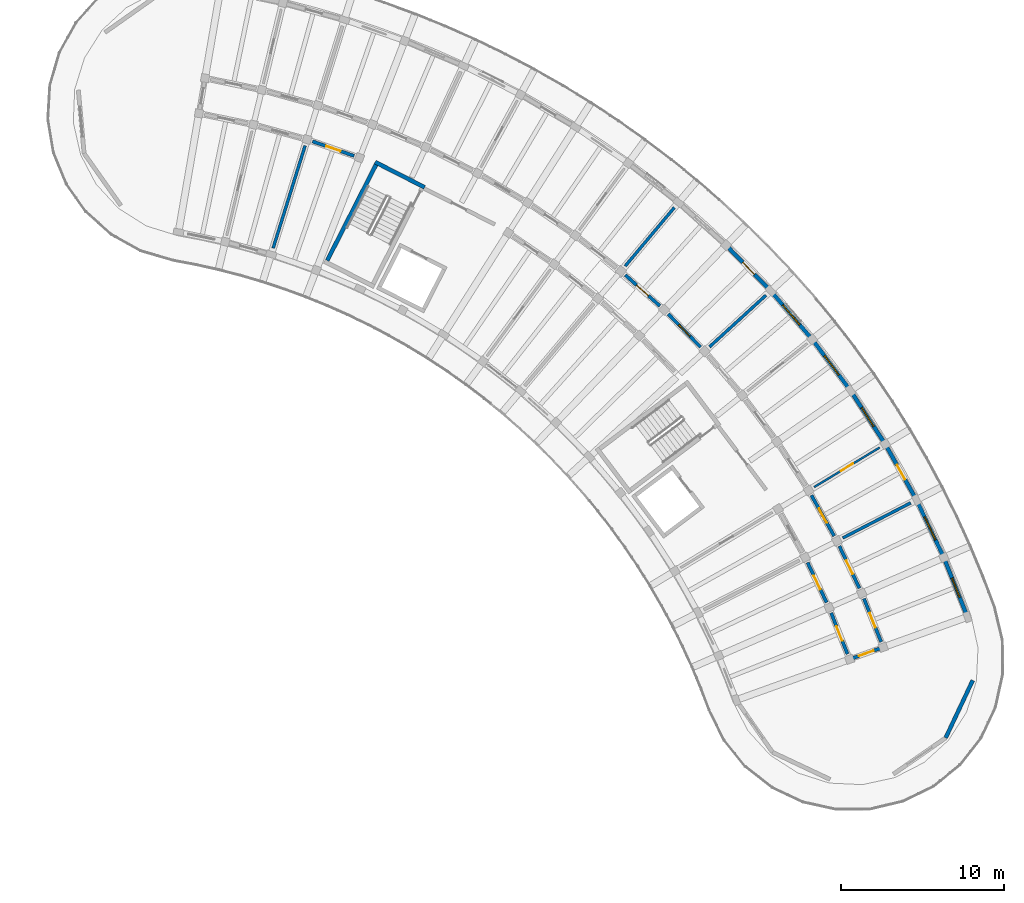
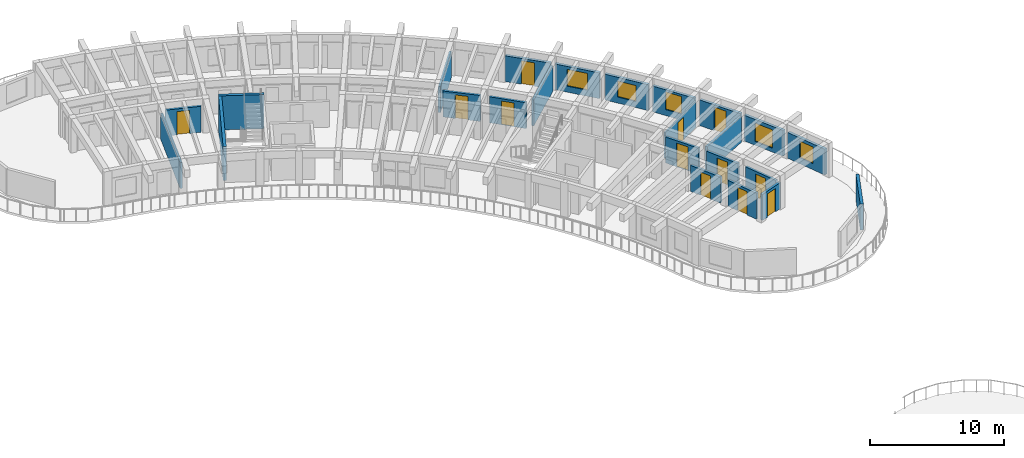
# One storey, part 35 of 56: 24 walls, 12 doors, 5 windows, 17 openings.
"""IFC4 building model written with IfcOpenShell, lengths in metres."""

from ifc_helpers import new_model, si_unit, direction, frame, frame_2d, origin, place, context, subcontext, project, spatial, rectangle, extrude, material, layer, layer_set, type_object, element, fill, save


model = new_model("IFC4")

# Units and contexts
model_context = context("Model", 3, precision=1e-05, world=origin(), true_north=direction((0.0, 1.0)))
body_context = subcontext(model_context, "Body", "Model", "MODEL_VIEW")
ifc_project = project(units=[si_unit("LENGTHUNIT", "METRE"), si_unit("AREAUNIT", "SQUARE_METRE"), si_unit("VOLUMEUNIT", "CUBIC_METRE"), si_unit("PLANEANGLEUNIT", "RADIAN"), si_unit("MASSUNIT", "GRAM", prefix="KILO")], contexts=[model_context])

# Site, building, storey
site_placement = place(None, origin())
site = spatial("IfcSite", under=ifc_project, at=site_placement, CompositionType="ELEMENT")
building_placement = place(site_placement, origin())
building = spatial("IfcBuilding", under=site, at=building_placement, Name="Tanwirah Colonnade Gardens", CompositionType="ELEMENT")
storey_placement = place(building_placement, frame((0.0, 0.0, 29.0)))
storey = spatial("IfcBuildingStorey", under=building, at=storey_placement, Name="L08", CompositionType="ELEMENT", Elevation=29.0)

# Wall, opening, window
ifc_material_1 = material(Name="Limestone architectural precast concrete C40/50", Category="masonry")
ifc_layer_1 = layer(ifc_material_1, 0.239990234375)
ifc_layer_set_1 = layer_set([ifc_layer_1], Name="Limestone architectural precast concrete C40/50")
wall_type_1 = type_object("IfcWallType", Name="EW-PC240", PredefinedType="SOLIDWALL", material=ifc_layer_set_1)
wall_1_placement = place(storey_placement, frame((176.976318359375, 80.50341796875, 0.0), z_axis=(0.0, 0.0, 1.0), x_axis=(-0.369178347818, 0.929358567778, 0.0)))
wall_1 = element("IfcWall", 1, at=wall_1_placement, inside=storey, type_object=wall_type_1, Name="Block B L08 OUT Precast Facade Wall 1", PredefinedType="SOLIDWALL", context=body_context, shape_type="SweptSolid", body=[
    extrude(rectangle(XDim=3.54052734375, YDim=0.239990234375, at=frame_2d((1.770263671875, 0.0))), origin(), (0.0, 0.0, 1.0), 2.35498046875),
])
opening_1_placement = place(wall_1_placement, frame((1.13037109375, 0.0, 0.550048828125)))
opening_1 = element("IfcOpeningElement", 2, at=opening_1_placement, cuts=wall_1, Name="Opening WIN-T17", PredefinedType="OPENING", context=body_context, shape_type="SweptSolid", body=[
    extrude(rectangle(XDim=1.280029296875, YDim=1.52001953125, at=frame_2d((0.64013671875, 0.760009765625))), frame((0.0, 0.1298828125, 0.0), z_axis=(0.0, -1.0, 0.0), x_axis=(1.0, 0.0, 0.0)), (0.0, 0.0, 1.0), 0.260009765625),
])
ifc_material_2 = material(Name="Thermally broken bronze aluminium and solar low-E double glazing", Category="aluminium")
window_type_1 = type_object("IfcWindowType", Name="WIN-T17", PartitioningType="SINGLE_PANEL", PredefinedType="WINDOW", material=ifc_material_2)
window_1_placement = place(opening_1_placement, origin())
window_1 = element("IfcWindow", 3, at=window_1_placement, inside=storey, type_object=window_type_1, Name="Facade window B-L08-OUT-01", OverallHeight=1.52001953125, OverallWidth=1.280029296875, PartitioningType="SINGLE_PANEL", PredefinedType="WINDOW", context=body_context, shape_type="SweptSolid", body=[
    extrude(rectangle(XDim=1.280029296875, YDim=1.52001953125, at=frame_2d((0.64013671875, 0.760009765625))), frame((0.0, 0.030029296875, 0.0), z_axis=(0.0, -1.0, 0.0), x_axis=(1.0, 0.0, 0.0)), (0.0, 0.0, 1.0), 0.06005859375),
])
fill(opening_1, window_1)

wall_2_placement = place(storey_placement, frame((175.493408203125, 84.197021484375, 0.0), z_axis=(0.0, 0.0, 1.0), x_axis=(-0.429641817045, 0.902999395928, 0.0)))
wall_2 = element("IfcWall", 4, at=wall_2_placement, inside=storey, type_object=wall_type_1, Name="Block B L08 OUT Precast Facade Wall 2", PredefinedType="SOLIDWALL", context=body_context, shape_type="SweptSolid", body=[
    extrude(rectangle(XDim=3.540771484375, YDim=0.239990234375, at=frame_2d((1.7705078125, 0.0))), origin(), (0.0, 0.0, 1.0), 2.35498046875),
])
opening_2_placement = place(wall_2_placement, frame((0.980224609375, 0.0, 0.35009765625)))
opening_2 = element("IfcOpeningElement", 5, at=opening_2_placement, cuts=wall_2, Name="Opening WIN-T20", PredefinedType="OPENING", context=body_context, shape_type="SweptSolid", body=[
    extrude(rectangle(XDim=1.580078125, YDim=1.679931640625, at=frame_2d((0.7900390625, 0.83984375))), frame((0.0, 0.1298828125, 0.0), z_axis=(0.0, -1.0, 0.0), x_axis=(1.0, 0.0, 0.0)), (0.0, 0.0, 1.0), 0.260009765625),
])
window_type_2 = type_object("IfcWindowType", Name="WIN-T20", PartitioningType="DOUBLE_PANEL_VERTICAL", PredefinedType="WINDOW", material=ifc_material_2)
window_2_placement = place(opening_2_placement, origin())
window_2 = element("IfcWindow", 6, at=window_2_placement, inside=storey, type_object=window_type_2, Name="Facade window B-L08-OUT-02", OverallHeight=1.679931640625, OverallWidth=1.580078125, PartitioningType="SINGLE_PANEL", PredefinedType="WINDOW", context=body_context, shape_type="SweptSolid", body=[
    extrude(rectangle(XDim=1.580078125, YDim=1.679931640625, at=frame_2d((0.7900390625, 0.83984375))), frame((0.0, 0.030029296875, 0.0), z_axis=(0.0, -1.0, 0.0), x_axis=(1.0, 0.0, 0.0)), (0.0, 0.0, 1.0), 0.06005859375),
])
fill(opening_2, window_2)

# Wall, opening, door
wall_3_placement = place(storey_placement, frame((173.82080078125, 87.687255859375, 0.0), z_axis=(0.0, 0.0, 1.0), x_axis=(-0.488240096514, 0.872709349185, 0.0)))
wall_3 = element("IfcWall", 7, at=wall_3_placement, inside=storey, type_object=wall_type_1, Name="Block B L08 OUT Precast Facade Wall 3", PredefinedType="SOLIDWALL", context=body_context, shape_type="SweptSolid", body=[
    extrude(rectangle(XDim=3.540771484375, YDim=0.239990234375, at=frame_2d((1.7705078125, 0.0))), origin(), (0.0, 0.0, 1.0), 2.35498046875),
])
opening_3_placement = place(wall_3_placement, frame((1.260498046875, 0.0, 0.0)))
opening_3 = element("IfcOpeningElement", 8, at=opening_3_placement, cuts=wall_3, Name="Opening L08-ED104", PredefinedType="OPENING", context=body_context, shape_type="SweptSolid", body=[
    extrude(rectangle(XDim=1.02001953125, YDim=2.139892578125, at=frame_2d((0.510009765625, 1.06982421875))), frame((0.0, 0.1298828125, 0.0), z_axis=(0.0, -1.0, 0.0), x_axis=(1.0, 0.0, 0.0)), (0.0, 0.0, 1.0), 0.260009765625),
])
ifc_material_3 = material(Name="Bronze aluminium glazed balcony door", Category="aluminium")
door_type_1 = type_object("IfcDoorType", Name="ED-BAL102", OperationType="NOTDEFINED", PredefinedType="DOOR", material=ifc_material_3)
door_1_placement = place(opening_3_placement, origin())
door_1 = element("IfcDoor", 9, at=door_1_placement, inside=storey, type_object=door_type_1, Name="Balcony glazed door L08-ED104", OperationType="SINGLE_SWING_RIGHT", OverallHeight=2.139892578125, OverallWidth=1.02001953125, PredefinedType="DOOR", context=body_context, shape_type="SweptSolid", body=[
    extrude(rectangle(XDim=1.02001953125, YDim=2.139892578125, at=frame_2d((0.510009765625, 1.06982421875))), frame((0.0, 0.02490234375, 0.0), z_axis=(0.0, -1.0, 0.0), x_axis=(1.0, 0.0, 0.0)), (0.0, 0.0, 1.0), 0.050048828125),
])
fill(opening_3, door_1)

# Wall, opening, window
wall_4_placement = place(storey_placement, frame((171.864990234375, 91.154052734375, 0.0), z_axis=(0.0, 0.0, 1.0), x_axis=(-0.544651423633, 0.838662522553, 0.0)))
wall_4 = element("IfcWall", 10, at=wall_4_placement, inside=storey, type_object=wall_type_1, Name="Block B L08 OUT Precast Facade Wall 4", PredefinedType="SOLIDWALL", context=body_context, shape_type="SweptSolid", body=[
    extrude(rectangle(XDim=3.540771484375, YDim=0.239990234375, at=frame_2d((1.7705078125, 0.0))), origin(), (0.0, 0.0, 1.0), 2.35498046875),
])
opening_4_placement = place(wall_4_placement, frame((1.09033203125, 0.0, 0.550048828125)))
opening_4 = element("IfcOpeningElement", 11, at=opening_4_placement, cuts=wall_4, Name="Opening WIN-U06", PredefinedType="OPENING", context=body_context, shape_type="SweptSolid", body=[
    extrude(rectangle(XDim=1.360107421875, YDim=1.610107421875, at=frame_2d((0.68017578125, 0.80517578125))), frame((0.0, 0.1298828125, 0.0), z_axis=(0.0, -1.0, 0.0), x_axis=(1.0, 0.0, 0.0)), (0.0, 0.0, 1.0), 0.260009765625),
])
window_type_3 = type_object("IfcWindowType", Name="WIN-U06", PartitioningType="DOUBLE_PANEL_VERTICAL", PredefinedType="WINDOW", material=ifc_material_2)
window_3_placement = place(opening_4_placement, origin())
window_3 = element("IfcWindow", 12, at=window_3_placement, inside=storey, type_object=window_type_3, Name="Facade window B-L08-OUT-04", OverallHeight=1.610107421875, OverallWidth=1.360107421875, PartitioningType="SINGLE_PANEL", PredefinedType="WINDOW", context=body_context, shape_type="SweptSolid", body=[
    extrude(rectangle(XDim=1.360107421875, YDim=1.610107421875, at=frame_2d((0.68017578125, 0.80517578125))), frame((0.0, 0.030029296875, 0.0), z_axis=(0.0, -1.0, 0.0), x_axis=(1.0, 0.0, 0.0)), (0.0, 0.0, 1.0), 0.06005859375),
])
fill(opening_4, window_3)

wall_5_placement = place(storey_placement, frame((169.747802734375, 94.39404296875, 0.0), z_axis=(0.0, 0.0, 1.0), x_axis=(-0.59871946339, 0.800958803034, 0.0)))
wall_5 = element("IfcWall", 13, at=wall_5_placement, inside=storey, type_object=wall_type_1, Name="Block B L08 OUT Precast Facade Wall 5", PredefinedType="SOLIDWALL", context=body_context, shape_type="SweptSolid", body=[
    extrude(rectangle(XDim=3.540771484375, YDim=0.239990234375, at=frame_2d((1.7705078125, 0.0))), origin(), (0.0, 0.0, 1.0), 2.35498046875),
])
opening_5_placement = place(wall_5_placement, frame((1.030517578125, 0.0, 0.550048828125)))
opening_5 = element("IfcOpeningElement", 14, at=opening_5_placement, cuts=wall_5, Name="Opening WIN-U09", PredefinedType="OPENING", context=body_context, shape_type="SweptSolid", body=[
    extrude(rectangle(XDim=1.47998046875, YDim=1.4599609375, at=frame_2d((0.739990234375, 0.72998046875))), frame((0.0, 0.1298828125, 0.0), z_axis=(0.0, -1.0, 0.0), x_axis=(1.0, 0.0, 0.0)), (0.0, 0.0, 1.0), 0.260009765625),
])
window_type_4 = type_object("IfcWindowType", Name="WIN-U09", PartitioningType="DOUBLE_PANEL_VERTICAL", PredefinedType="WINDOW", material=ifc_material_2)
window_4_placement = place(opening_5_placement, origin())
window_4 = element("IfcWindow", 15, at=window_4_placement, inside=storey, type_object=window_type_4, Name="Facade window B-L08-OUT-05", OverallHeight=1.4599609375, OverallWidth=1.47998046875, PartitioningType="SINGLE_PANEL", PredefinedType="WINDOW", context=body_context, shape_type="SweptSolid", body=[
    extrude(rectangle(XDim=1.47998046875, YDim=1.4599609375, at=frame_2d((0.739990234375, 0.72998046875))), frame((0.0, 0.030029296875, 0.0), z_axis=(0.0, -1.0, 0.0), x_axis=(1.0, 0.0, 0.0)), (0.0, 0.0, 1.0), 0.06005859375),
])
fill(opening_5, window_4)

wall_6_placement = place(storey_placement, frame((167.353271484375, 97.5732421875, 0.0), z_axis=(0.0, 0.0, 1.0), x_axis=(-0.650200638195, 0.759762548492, 0.0)))
wall_6 = element("IfcWall", 16, at=wall_6_placement, inside=storey, type_object=wall_type_1, Name="Block B L08 OUT Precast Facade Wall 6", PredefinedType="SOLIDWALL", context=body_context, shape_type="SweptSolid", body=[
    extrude(rectangle(XDim=3.540771484375, YDim=0.239990234375, at=frame_2d((1.7705078125, 0.0))), origin(), (0.0, 0.0, 1.0), 2.35498046875),
])
opening_6_placement = place(wall_6_placement, frame((0.97021484375, 0.0, 0.550048828125)))
opening_6 = element("IfcOpeningElement", 17, at=opening_6_placement, cuts=wall_6, Name="Opening WIN-U12", PredefinedType="OPENING", context=body_context, shape_type="SweptSolid", body=[
    extrude(rectangle(XDim=1.60009765625, YDim=1.534912109375, at=frame_2d((0.800048828125, 0.767578125))), frame((0.0, 0.1298828125, 0.0), z_axis=(0.0, -1.0, 0.0), x_axis=(1.0, 0.0, 0.0)), (0.0, 0.0, 1.0), 0.260009765625),
])
window_type_5 = type_object("IfcWindowType", Name="WIN-U12", PartitioningType="DOUBLE_PANEL_VERTICAL", PredefinedType="WINDOW", material=ifc_material_2)
window_5_placement = place(opening_6_placement, origin())
window_5 = element("IfcWindow", 18, at=window_5_placement, inside=storey, type_object=window_type_5, Name="Facade window B-L08-OUT-06", OverallHeight=1.534912109375, OverallWidth=1.60009765625, PartitioningType="SINGLE_PANEL", PredefinedType="WINDOW", context=body_context, shape_type="SweptSolid", body=[
    extrude(rectangle(XDim=1.60009765625, YDim=1.534912109375, at=frame_2d((0.800048828125, 0.767578125))), frame((0.0, 0.030029296875, 0.0), z_axis=(0.0, -1.0, 0.0), x_axis=(1.0, 0.0, 0.0)), (0.0, 0.0, 1.0), 0.06005859375),
])
fill(opening_6, window_5)

# Wall, opening, door
wall_7_placement = place(storey_placement, frame((164.82861328125, 100.5068359375, 0.0), z_axis=(0.0, 0.0, 1.0), x_axis=(-0.698819119584, 0.715298425906, 0.0)))
wall_7 = element("IfcWall", 19, at=wall_7_placement, inside=storey, type_object=wall_type_1, Name="Block B L08 OUT Precast Facade Wall 7", PredefinedType="SOLIDWALL", context=body_context, shape_type="SweptSolid", body=[
    extrude(rectangle(XDim=3.540771484375, YDim=0.239990234375, at=frame_2d((1.7705078125, 0.0))), origin(), (0.0, 0.0, 1.0), 2.35498046875),
])
opening_7_placement = place(wall_7_placement, frame((1.260498046875, 0.0, 0.0)))
opening_7 = element("IfcOpeningElement", 20, at=opening_7_placement, cuts=wall_7, Name="Opening L08-ED105", PredefinedType="OPENING", context=body_context, shape_type="SweptSolid", body=[
    extrude(rectangle(XDim=1.02001953125, YDim=2.139892578125, at=frame_2d((0.510009765625, 1.06982421875))), frame((0.0, 0.1298828125, 0.0), z_axis=(0.0, -1.0, 0.0), x_axis=(1.0, 0.0, 0.0)), (0.0, 0.0, 1.0), 0.260009765625),
])
door_2_placement = place(opening_7_placement, origin())
door_2 = element("IfcDoor", 21, at=door_2_placement, inside=storey, type_object=door_type_1, Name="Balcony glazed door L08-ED105", OperationType="SINGLE_SWING_RIGHT", OverallHeight=2.139892578125, OverallWidth=1.02001953125, PredefinedType="DOOR", context=body_context, shape_type="SweptSolid", body=[
    extrude(rectangle(XDim=1.02001953125, YDim=2.139892578125, at=frame_2d((0.510009765625, 1.06982421875))), frame((0.0, 0.02490234375, 0.0), z_axis=(0.0, -1.0, 0.0), x_axis=(1.0, 0.0, 0.0)), (0.0, 0.0, 1.0), 0.050048828125),
])
fill(opening_7, door_2)

# Wall
wall_8_placement = place(storey_placement, frame((177.36279296875, 76.45556640625, 0.0), z_axis=(0.0, 0.0, 1.0), x_axis=(-0.42610086282, -0.904675662712, 0.0)))
element("IfcWall", 22, at=wall_8_placement, inside=storey, type_object=wall_type_1, Name="Block B L08 START Rounded End Wall 1", PredefinedType="SOLIDWALL", context=body_context, shape_type="SweptSolid", body=[
    extrude(rectangle(XDim=3.908203125, YDim=0.239990234375, at=frame_2d((1.9541015625, 0.0))), origin(), (0.0, 0.0, 1.0), 2.35498046875),
])

# Wall, opening, door
ifc_material_4 = material(Name="Precast concrete C40/50", Category="concrete")
ifc_layer_2 = layer(ifc_material_4, 0.205078125)
ifc_layer_set_2 = layer_set([ifc_layer_2], Name="Precast concrete C40/50")
wall_type_2 = type_object("IfcWallType", Name="IW-CORR205", PredefinedType="PARTITIONING", material=ifc_layer_set_2)
wall_9_placement = place(storey_placement, frame((171.732421875, 78.814208984375, 0.0), z_axis=(0.0, 0.0, 1.0), x_axis=(-0.369213832442, 0.929344471083, 0.0)))
wall_9 = element("IfcWall", 23, at=wall_9_placement, inside=storey, type_object=wall_type_2, Name="Block B L08 OUT Corridor Wall 1", PredefinedType="PARTITIONING", context=body_context, shape_type="SweptSolid", body=[
    extrude(rectangle(XDim=2.86328125, YDim=0.205078125, at=frame_2d((1.431640625, 0.0))), origin(), (0.0, 0.0, 1.0), 2.3701171875),
])
opening_8_placement = place(wall_9_placement, frame((0.95654296875, 0.0, 0.0)))
opening_8 = element("IfcOpeningElement", 24, at=opening_8_placement, cuts=wall_9, Name="Opening L08-AD1127", PredefinedType="OPENING", context=body_context, shape_type="SweptSolid", body=[
    extrude(rectangle(XDim=0.949951171875, YDim=2.1298828125, at=frame_2d((0.47509765625, 1.06494140625))), frame((0.0, 0.112548828125, 0.0), z_axis=(0.0, -1.0, 0.0), x_axis=(1.0, 0.0, 0.0)), (0.0, 0.0, 1.0), 0.22509765625),
])
ifc_material_5 = material(Name="Solid oak fire-resisting apartment entrance door")
door_type_2 = type_object("IfcDoorType", Name="ID-FLT095", OperationType="NOTDEFINED", PredefinedType="DOOR", material=ifc_material_5)
door_3_placement = place(opening_8_placement, origin())
door_3 = element("IfcDoor", 25, at=door_3_placement, inside=storey, type_object=door_type_2, Name="Apartment corridor door L08-AD1127", OperationType="SINGLE_SWING_RIGHT", OverallHeight=2.1298828125, OverallWidth=0.949951171875, PredefinedType="DOOR", context=body_context, shape_type="SweptSolid", body=[
    extrude(rectangle(XDim=0.949951171875, YDim=2.1298828125, at=frame_2d((0.47509765625, 1.06494140625))), frame((0.0, 0.02490234375, 0.0), z_axis=(0.0, -1.0, 0.0), x_axis=(1.0, 0.0, 0.0)), (0.0, 0.0, 1.0), 0.050048828125),
])
fill(opening_8, door_3)

wall_10_placement = place(storey_placement, frame((169.662353515625, 78.06982421875, 0.0), z_axis=(0.0, 0.0, 1.0), x_axis=(-0.369237170461, 0.929335198919, 0.0)))
wall_10 = element("IfcWall", 26, at=wall_10_placement, inside=storey, type_object=wall_type_2, Name="Block B L08 IN Corridor Wall 1", PredefinedType="PARTITIONING", context=body_context, shape_type="SweptSolid", body=[
    extrude(rectangle(XDim=2.71826171875, YDim=0.205078125, at=frame_2d((1.359130859375, 0.0))), origin(), (0.0, 0.0, 1.0), 2.3701171875),
])
opening_9_placement = place(wall_10_placement, frame((0.884033203125, 0.0, 0.0)))
opening_9 = element("IfcOpeningElement", 27, at=opening_9_placement, cuts=wall_10, Name="Opening L08-AD1128", PredefinedType="OPENING", context=body_context, shape_type="SweptSolid", body=[
    extrude(rectangle(XDim=0.949951171875, YDim=2.1298828125, at=frame_2d((0.47509765625, 1.06494140625))), frame((0.0, 0.112548828125, 0.0), z_axis=(0.0, -1.0, 0.0), x_axis=(1.0, 0.0, 0.0)), (0.0, 0.0, 1.0), 0.22509765625),
])
door_4_placement = place(opening_9_placement, origin())
door_4 = element("IfcDoor", 28, at=door_4_placement, inside=storey, type_object=door_type_2, Name="Apartment corridor door L08-AD1128", OperationType="SINGLE_SWING_LEFT", OverallHeight=2.1298828125, OverallWidth=0.949951171875, PredefinedType="DOOR", context=body_context, shape_type="SweptSolid", body=[
    extrude(rectangle(XDim=0.949951171875, YDim=2.1298828125, at=frame_2d((0.47509765625, 1.06494140625))), frame((0.0, 0.02490234375, 0.0), z_axis=(0.0, -1.0, 0.0), x_axis=(1.0, 0.0, 0.0)), (0.0, 0.0, 1.0), 0.050048828125),
])
fill(opening_9, door_4)

wall_11_placement = place(storey_placement, frame((170.395751953125, 82.116455078125, 0.0), z_axis=(0.0, 0.0, 1.0), x_axis=(-0.429595933416, 0.90302122566, 0.0)))
wall_11 = element("IfcWall", 29, at=wall_11_placement, inside=storey, type_object=wall_type_2, Name="Block B L08 OUT Corridor Wall 2", PredefinedType="PARTITIONING", context=body_context, shape_type="SweptSolid", body=[
    extrude(rectangle(XDim=2.863037109375, YDim=0.205078125, at=frame_2d((1.431640625, 0.0))), origin(), (0.0, 0.0, 1.0), 2.3701171875),
])
opening_10_placement = place(wall_11_placement, frame((0.966552734375, 0.0, 0.0)))
opening_10 = element("IfcOpeningElement", 30, at=opening_10_placement, cuts=wall_11, Name="Opening L08-AD1129", PredefinedType="OPENING", context=body_context, shape_type="SweptSolid", body=[
    extrude(rectangle(XDim=0.929931640625, YDim=2.1201171875, at=frame_2d((0.46484375, 1.06005859375))), frame((0.0, 0.112548828125, 0.0), z_axis=(0.0, -1.0, 0.0), x_axis=(1.0, 0.0, 0.0)), (0.0, 0.0, 1.0), 0.22509765625),
])
door_type_3 = type_object("IfcDoorType", Name="ID-FLT093", OperationType="NOTDEFINED", PredefinedType="DOOR", material=ifc_material_5)
door_5_placement = place(opening_10_placement, origin())
door_5 = element("IfcDoor", 31, at=door_5_placement, inside=storey, type_object=door_type_3, Name="Apartment corridor door L08-AD1129", OperationType="SINGLE_SWING_LEFT", OverallHeight=2.1201171875, OverallWidth=0.929931640625, PredefinedType="DOOR", context=body_context, shape_type="SweptSolid", body=[
    extrude(rectangle(XDim=0.929931640625, YDim=2.1201171875, at=frame_2d((0.46484375, 1.06005859375))), frame((0.0, 0.02490234375, 0.0), z_axis=(0.0, -1.0, 0.0), x_axis=(1.0, 0.0, 0.0)), (0.0, 0.0, 1.0), 0.050048828125),
])
fill(opening_10, door_5)

wall_12_placement = place(storey_placement, frame((168.379150390625, 81.2373046875, 0.0), z_axis=(0.0, 0.0, 1.0), x_axis=(-0.429630211913, 0.90300491749, 0.0)))
wall_12 = element("IfcWall", 32, at=wall_12_placement, inside=storey, type_object=wall_type_2, Name="Block B L08 IN Corridor Wall 2", PredefinedType="PARTITIONING", context=body_context, shape_type="SweptSolid", body=[
    extrude(rectangle(XDim=2.718017578125, YDim=0.205078125, at=frame_2d((1.35888671875, 0.0))), origin(), (0.0, 0.0, 1.0), 2.3701171875),
])
opening_11_placement = place(wall_12_placement, frame((0.89404296875, 0.0, 0.0)))
opening_11 = element("IfcOpeningElement", 33, at=opening_11_placement, cuts=wall_12, Name="Opening L08-AD1130", PredefinedType="OPENING", context=body_context, shape_type="SweptSolid", body=[
    extrude(rectangle(XDim=0.929931640625, YDim=2.1201171875, at=frame_2d((0.46484375, 1.06005859375))), frame((0.0, 0.112548828125, 0.0), z_axis=(0.0, -1.0, 0.0), x_axis=(1.0, 0.0, 0.0)), (0.0, 0.0, 1.0), 0.22509765625),
])
door_6_placement = place(opening_11_placement, origin())
door_6 = element("IfcDoor", 34, at=door_6_placement, inside=storey, type_object=door_type_3, Name="Apartment corridor door L08-AD1130", OperationType="SINGLE_SWING_RIGHT", OverallHeight=2.1201171875, OverallWidth=0.929931640625, PredefinedType="DOOR", context=body_context, shape_type="SweptSolid", body=[
    extrude(rectangle(XDim=0.929931640625, YDim=2.1201171875, at=frame_2d((0.46484375, 1.06005859375))), frame((0.0, 0.02490234375, 0.0), z_axis=(0.0, -1.0, 0.0), x_axis=(1.0, 0.0, 0.0)), (0.0, 0.0, 1.0), 0.050048828125),
])
fill(opening_11, door_6)

wall_13_placement = place(storey_placement, frame((168.844482421875, 85.323486328125, 0.0), z_axis=(0.0, 0.0, 1.0), x_axis=(-0.48817487918, 0.872745832037, 0.0)))
wall_13 = element("IfcWall", 35, at=wall_13_placement, inside=storey, type_object=wall_type_2, Name="Block B L08 OUT Corridor Wall 3", PredefinedType="PARTITIONING", context=body_context, shape_type="SweptSolid", body=[
    extrude(rectangle(XDim=2.863037109375, YDim=0.205078125, at=frame_2d((1.431640625, 0.0))), origin(), (0.0, 0.0, 1.0), 2.3701171875),
])
opening_12_placement = place(wall_13_placement, frame((0.9365234375, 0.0, 0.0)))
opening_12 = element("IfcOpeningElement", 36, at=opening_12_placement, cuts=wall_13, Name="Opening L08-AD1131", PredefinedType="OPENING", context=body_context, shape_type="SweptSolid", body=[
    extrude(rectangle(XDim=0.989990234375, YDim=2.159912109375, at=frame_2d((0.4951171875, 1.080078125))), frame((0.0, 0.112548828125, 0.0), z_axis=(0.0, -1.0, 0.0), x_axis=(1.0, 0.0, 0.0)), (0.0, 0.0, 1.0), 0.22509765625),
])
door_type_4 = type_object("IfcDoorType", Name="ID-FLT099", OperationType="NOTDEFINED", PredefinedType="DOOR", material=ifc_material_5)
door_7_placement = place(opening_12_placement, origin())
door_7 = element("IfcDoor", 37, at=door_7_placement, inside=storey, type_object=door_type_4, Name="Apartment corridor door L08-AD1131", OperationType="SINGLE_SWING_RIGHT", OverallHeight=2.159912109375, OverallWidth=0.989990234375, PredefinedType="DOOR", context=body_context, shape_type="SweptSolid", body=[
    extrude(rectangle(XDim=0.989990234375, YDim=2.159912109375, at=frame_2d((0.4951171875, 1.080078125))), frame((0.0, 0.02490234375, 0.0), z_axis=(0.0, -1.0, 0.0), x_axis=(1.0, 0.0, 0.0)), (0.0, 0.0, 1.0), 0.050048828125),
])
fill(opening_12, door_7)

wall_14_placement = place(storey_placement, frame((160.640625, 96.92724609375, 0.0), z_axis=(0.0, 0.0, 1.0), x_axis=(-0.698787219683, 0.715329589496, 0.0)))
wall_14 = element("IfcWall", 38, at=wall_14_placement, inside=storey, type_object=wall_type_2, Name="Block B L08 OUT Corridor Wall 7", PredefinedType="PARTITIONING", context=body_context, shape_type="SweptSolid", body=[
    extrude(rectangle(XDim=2.863037109375, YDim=0.205078125, at=frame_2d((1.431640625, 0.0))), origin(), (0.0, 0.0, 1.0), 2.3701171875),
])
opening_13_placement = place(wall_14_placement, frame((0.9365234375, 0.0, 0.0)))
opening_13 = element("IfcOpeningElement", 39, at=opening_13_placement, cuts=wall_14, Name="Opening L08-AD1139", PredefinedType="OPENING", context=body_context, shape_type="SweptSolid", body=[
    extrude(rectangle(XDim=0.989990234375, YDim=2.159912109375, at=frame_2d((0.4951171875, 1.080078125))), frame((0.0, 0.112548828125, 0.0), z_axis=(0.0, -1.0, 0.0), x_axis=(1.0, 0.0, 0.0)), (0.0, 0.0, 1.0), 0.22509765625),
])
door_8_placement = place(opening_13_placement, origin())
door_8 = element("IfcDoor", 40, at=door_8_placement, inside=storey, type_object=door_type_4, Name="Apartment corridor door L08-AD1139", OperationType="SINGLE_SWING_RIGHT", OverallHeight=2.159912109375, OverallWidth=0.989990234375, PredefinedType="DOOR", context=body_context, shape_type="SweptSolid", body=[
    extrude(rectangle(XDim=0.989990234375, YDim=2.159912109375, at=frame_2d((0.4951171875, 1.080078125))), frame((0.0, 0.02490234375, 0.0), z_axis=(0.0, -1.0, 0.0), x_axis=(1.0, 0.0, 0.0)), (0.0, 0.0, 1.0), 0.050048828125),
])
fill(opening_13, door_8)

wall_15_placement = place(storey_placement, frame((158.134765625, 99.459228515625, 0.0), z_axis=(0.0, 0.0, 1.0), x_axis=(-0.744433521088, 0.667696587291, 0.0)))
wall_15 = element("IfcWall", 41, at=wall_15_placement, inside=storey, type_object=wall_type_2, Name="Block B L08 OUT Corridor Wall 8", PredefinedType="PARTITIONING", context=body_context, shape_type="SweptSolid", body=[
    extrude(rectangle(XDim=2.86328125, YDim=0.205078125, at=frame_2d((1.431640625, 0.0))), origin(), (0.0, 0.0, 1.0), 2.3701171875),
])
opening_14_placement = place(wall_15_placement, frame((0.946533203125, 0.0, 0.0)))
opening_14 = element("IfcOpeningElement", 42, at=opening_14_placement, cuts=wall_15, Name="Opening L08-AD1141", PredefinedType="OPENING", context=body_context, shape_type="SweptSolid", body=[
    extrude(rectangle(XDim=0.969970703125, YDim=2.14990234375, at=frame_2d((0.48486328125, 1.074951171875))), frame((0.0, 0.112548828125, 0.0), z_axis=(0.0, -1.0, 0.0), x_axis=(1.0, 0.0, 0.0)), (0.0, 0.0, 1.0), 0.22509765625),
])
door_type_5 = type_object("IfcDoorType", Name="ID-FLT097", OperationType="NOTDEFINED", PredefinedType="DOOR", material=ifc_material_5)
door_9_placement = place(opening_14_placement, origin())
door_9 = element("IfcDoor", 43, at=door_9_placement, inside=storey, type_object=door_type_5, Name="Apartment corridor door L08-AD1141", OperationType="SINGLE_SWING_LEFT", OverallHeight=2.14990234375, OverallWidth=0.969970703125, PredefinedType="DOOR", context=body_context, shape_type="SweptSolid", body=[
    extrude(rectangle(XDim=0.969970703125, YDim=2.14990234375, at=frame_2d((0.48486328125, 1.074951171875))), frame((0.0, 0.02490234375, 0.0), z_axis=(0.0, -1.0, 0.0), x_axis=(1.0, 0.0, 0.0)), (0.0, 0.0, 1.0), 0.050048828125),
])
fill(opening_14, door_9)

wall_16_placement = place(storey_placement, frame((139.3447265625, 108.685302734375, 0.0), z_axis=(0.0, 0.0, 1.0), x_axis=(-0.944265123647, 0.329185929627, 0.0)))
wall_16 = element("IfcWall", 44, at=wall_16_placement, inside=storey, type_object=wall_type_2, Name="Block B L08 IN Corridor Wall 14", PredefinedType="PARTITIONING", context=body_context, shape_type="SweptSolid", body=[
    extrude(rectangle(XDim=2.71826171875, YDim=0.205078125, at=frame_2d((1.359130859375, 0.0))), origin(), (0.0, 0.0, 1.0), 2.3701171875),
])
opening_15_placement = place(wall_16_placement, frame((0.89404296875, 0.0, 0.0)))
opening_15 = element("IfcOpeningElement", 45, at=opening_15_placement, cuts=wall_16, Name="Opening L08-AD1154", PredefinedType="OPENING", context=body_context, shape_type="SweptSolid", body=[
    extrude(rectangle(XDim=0.929931640625, YDim=2.1201171875, at=frame_2d((0.46484375, 1.06005859375))), frame((0.0, 0.112548828125, 0.0), z_axis=(0.0, -1.0, 0.0), x_axis=(1.0, 0.0, 0.0)), (0.0, 0.0, 1.0), 0.22509765625),
])
door_10_placement = place(opening_15_placement, origin())
door_10 = element("IfcDoor", 46, at=door_10_placement, inside=storey, type_object=door_type_3, Name="Apartment corridor door L08-AD1154", OperationType="SINGLE_SWING_RIGHT", OverallHeight=2.1201171875, OverallWidth=0.929931640625, PredefinedType="DOOR", context=body_context, shape_type="SweptSolid", body=[
    extrude(rectangle(XDim=0.929931640625, YDim=2.1201171875, at=frame_2d((0.46484375, 1.06005859375))), frame((0.0, 0.02490234375, 0.0), z_axis=(0.0, -1.0, 0.0), x_axis=(1.0, 0.0, 0.0)), (0.0, 0.0, 1.0), 0.050048828125),
])
fill(opening_15, door_10)

wall_17_placement = place(storey_placement, frame((169.838623046875, 77.761474609375, 0.0), z_axis=(0.0, 0.0, 1.0), x_axis=(0.940992591523, 0.338427160109, 0.0)))
wall_17 = element("IfcWall", 47, at=wall_17_placement, inside=storey, type_object=wall_type_2, Name="Block B L08 CS Corner Suite Corridor Wall", PredefinedType="PARTITIONING", context=body_context, shape_type="SweptSolid", body=[
    extrude(rectangle(XDim=2.10009765625, YDim=0.205078125, at=frame_2d((1.050048828125, 0.0))), origin(), (0.0, 0.0, 1.0), 2.3701171875),
])
opening_16_placement = place(wall_17_placement, frame((0.570068359375, 0.0, 0.0)))
opening_16 = element("IfcOpeningElement", 48, at=opening_16_placement, cuts=wall_17, Name="Opening L08-CD1161", PredefinedType="OPENING", context=body_context, shape_type="SweptSolid", body=[
    extrude(rectangle(XDim=0.949951171875, YDim=2.1298828125, at=frame_2d((0.47509765625, 1.06494140625))), frame((0.0, 0.112548828125, 0.0), z_axis=(0.0, -1.0, 0.0), x_axis=(1.0, 0.0, 0.0)), (0.0, 0.0, 1.0), 0.22509765625),
])
door_11_placement = place(opening_16_placement, origin())
door_11 = element("IfcDoor", 49, at=door_11_placement, inside=storey, type_object=door_type_2, Name="Corner suite entrance door L08-CD1161", OperationType="SINGLE_SWING_LEFT", OverallHeight=2.1298828125, OverallWidth=0.949951171875, PredefinedType="DOOR", context=body_context, shape_type="SweptSolid", body=[
    extrude(rectangle(XDim=0.949951171875, YDim=2.1298828125, at=frame_2d((0.47509765625, 1.06494140625))), frame((0.0, 0.02490234375, 0.0), z_axis=(0.0, -1.0, 0.0), x_axis=(1.0, 0.0, 0.0)), (0.0, 0.0, 1.0), 0.050048828125),
])
fill(opening_16, door_11)

# Walls
ifc_layer_3 = layer(ifc_material_4, 0.18505859375)
ifc_layer_set_3 = layer_set([ifc_layer_3], Name="Precast concrete C40/50")
wall_type_3 = type_object("IfcWallType", Name="IW-DEM185", PredefinedType="PARTITIONING", material=ifc_layer_set_3)
for number, where, z_axis, x_axis, name in (
    (50, (169.37060546875, 85.20166015625, 0.0), (0.0, 0.0, 1.0), (0.88836305433, 0.459141681512, 0.0), "Block B L08 Radial Partition 2"),
    (51, (161.180419921875, 96.947021484375, 0.0), (0.0, 0.0, 1.0), (0.737934199263, 0.674872667663, 0.0), "Block B L08 Radial Partition 6"),
    (52, (155.999755859375, 101.9111328125, 0.0), (0.0, 0.0, 1.0), (0.642811926223, 0.766024038465, 0.0), "Block B L08 Radial Partition 8"),
):
    element("IfcWall", number, at=place(storey_placement, frame(where, z_axis=z_axis, x_axis=x_axis)), inside=storey, type_object=wall_type_3, Name=name, PredefinedType="PARTITIONING", context=body_context, shape_type="SweptSolid", body=[
        extrude(rectangle(XDim=4.699951171875, YDim=0.18505859375, at=frame_2d((2.35009765625, 0.0))), origin(), (0.0, 0.0, 1.0), 2.3701171875),
    ])
wall_18_placement = place(storey_placement, frame((134.362060546875, 103.01318359375, 0.0), z_axis=(0.0, 0.0, 1.0), x_axis=(0.2979590431, 0.954578655028, 0.0)))
element("IfcWall", 53, at=wall_18_placement, inside=storey, type_object=wall_type_3, Name="Block B L08 Inner Radial Partition 14", PredefinedType="PARTITIONING", context=body_context, shape_type="SweptSolid", body=[
    extrude(rectangle(XDim=6.60009765625, YDim=0.18505859375, at=frame_2d((3.300048828125, 0.0))), origin(), (0.0, 0.0, 1.0), 2.3701171875),
])

# Wall, opening, door
ifc_material_6 = material(Name="Moisture-resistant gypsum stud partition")
ifc_layer_4 = layer(ifc_material_6, 0.125)
ifc_layer_set_4 = layer_set([ifc_layer_4], Name="Moisture-resistant gypsum stud partition")
wall_type_4 = type_object("IfcWallType", Name="IW-INT125", PredefinedType="PARTITIONING", material=ifc_layer_set_4)
wall_19_placement = place(storey_placement, frame((167.618408203125, 88.334228515625, 0.0), z_axis=(0.0, 0.0, 1.0), x_axis=(0.856165473929, 0.516701733356, 0.0)))
wall_19 = element("IfcWall", 54, at=wall_19_placement, inside=storey, type_object=wall_type_4, Name="Block B L08 Radial Partition 3", PredefinedType="PARTITIONING", context=body_context, shape_type="SweptSolid", body=[
    extrude(rectangle(XDim=4.699951171875, YDim=0.125, at=frame_2d((2.35009765625, 0.0))), origin(), (0.0, 0.0, 1.0), 2.3701171875),
])
opening_17_placement = place(wall_19_placement, frame((1.9150390625, 0.0, 0.0)))
opening_17 = element("IfcOpeningElement", 55, at=opening_17_placement, cuts=wall_19, Name="Opening L08-RD1133", PredefinedType="OPENING", context=body_context, shape_type="SweptSolid", body=[
    extrude(rectangle(XDim=0.8701171875, YDim=2.080078125, at=frame_2d((0.43505859375, 1.0400390625))), frame((0.0, 0.072509765625, 0.0), z_axis=(0.0, -1.0, 0.0), x_axis=(1.0, 0.0, 0.0)), (0.0, 0.0, 1.0), 0.14501953125),
])
ifc_material_7 = material(Name="Painted hardwood study door", Category="wood")
door_type_6 = type_object("IfcDoorType", Name="ID-RM087", OperationType="NOTDEFINED", PredefinedType="DOOR", material=ifc_material_7)
door_12_placement = place(opening_17_placement, origin())
door_12 = element("IfcDoor", 56, at=door_12_placement, inside=storey, type_object=door_type_6, Name="Internal apartment door L08-RD1133", OperationType="SINGLE_SWING_RIGHT", OverallHeight=2.080078125, OverallWidth=0.8701171875, PredefinedType="DOOR", context=body_context, shape_type="SweptSolid", body=[
    extrude(rectangle(XDim=0.8701171875, YDim=2.080078125, at=frame_2d((0.43505859375, 1.0400390625))), frame((0.0, 0.02490234375, 0.0), z_axis=(0.0, -1.0, 0.0), x_axis=(1.0, 0.0, 0.0)), (0.0, 0.0, 1.0), 0.050048828125),
])
fill(opening_17, door_12)

# Walls
ifc_material_8 = material(Name="Concrete C45/55", Category="concrete")
ifc_layer_5 = layer(ifc_material_8, 0.25)
ifc_layer_set_5 = layer_set([ifc_layer_5], Name="Concrete C45/55")
wall_type_5 = type_object("IfcWallType", Name="SW-CORE250", PredefinedType="SHEAR", material=ifc_layer_set_5)
wall_20_placement = place(storey_placement, frame((140.68408203125, 108.138671875, 0.0), z_axis=(0.0, 0.0, 1.0), x_axis=(-0.453992276384, -0.891005618941, 0.0)))
element("IfcWall", 57, at=wall_20_placement, inside=storey, type_object=wall_type_5, Name="CORE-B2 L08 Stair Shaft Shear Wall LEFT", PredefinedType="SHEAR", context=body_context, shape_type="SweptSolid", body=[
    extrude(rectangle(XDim=6.599853515625, YDim=0.25, at=frame_2d((3.2998046875, 0.0))), origin(), (0.0, 0.0, 1.0), 3.110107421875),
])
wall_21_placement = place(storey_placement, frame((140.62939453125, 108.306640625, 0.0), z_axis=(0.0, 0.0, 1.0), x_axis=(0.891032414707, -0.453939683153, 0.0)))
element("IfcWall", 58, at=wall_21_placement, inside=storey, type_object=wall_type_5, Name="CORE-B2 L08 Stair Shaft Shear Wall NEAR", PredefinedType="SHEAR", context=body_context, shape_type="SweptSolid", body=[
    extrude(rectangle(XDim=3.419921875, YDim=0.25, at=frame_2d((1.7099609375, 0.0))), origin(), (0.0, 0.0, 1.0), 3.110107421875),
])

save(model, "model.ifc")
